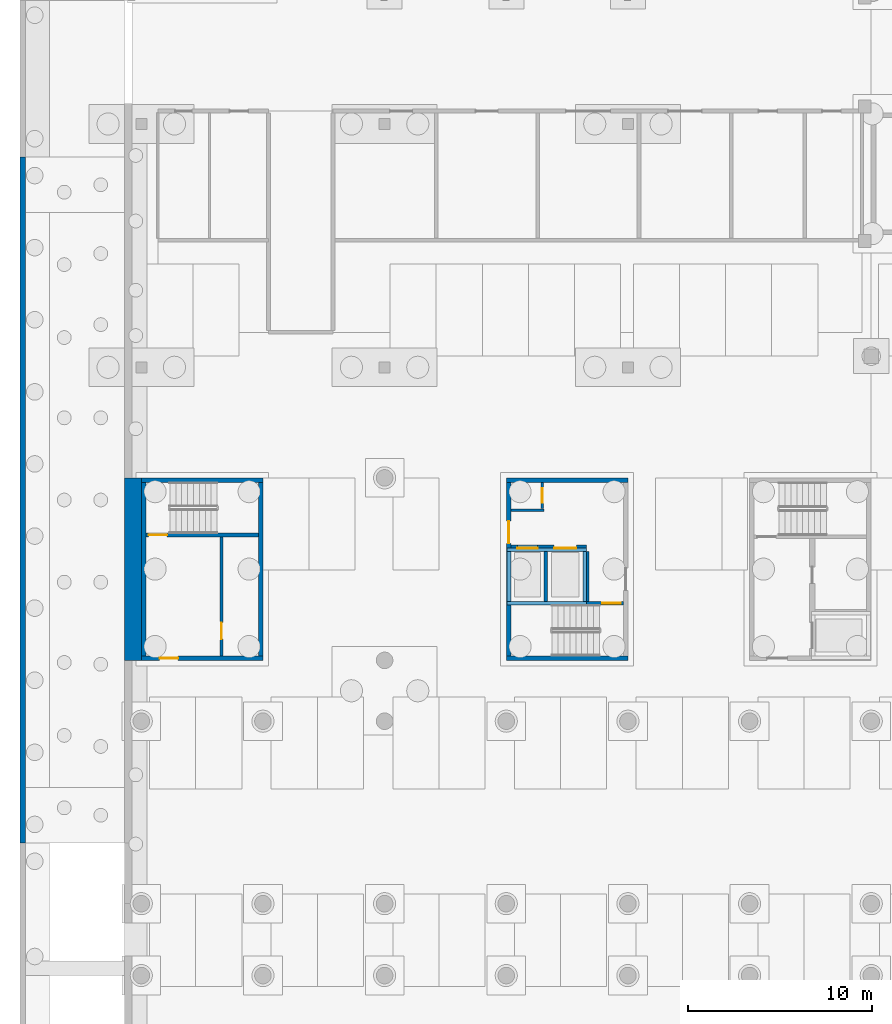
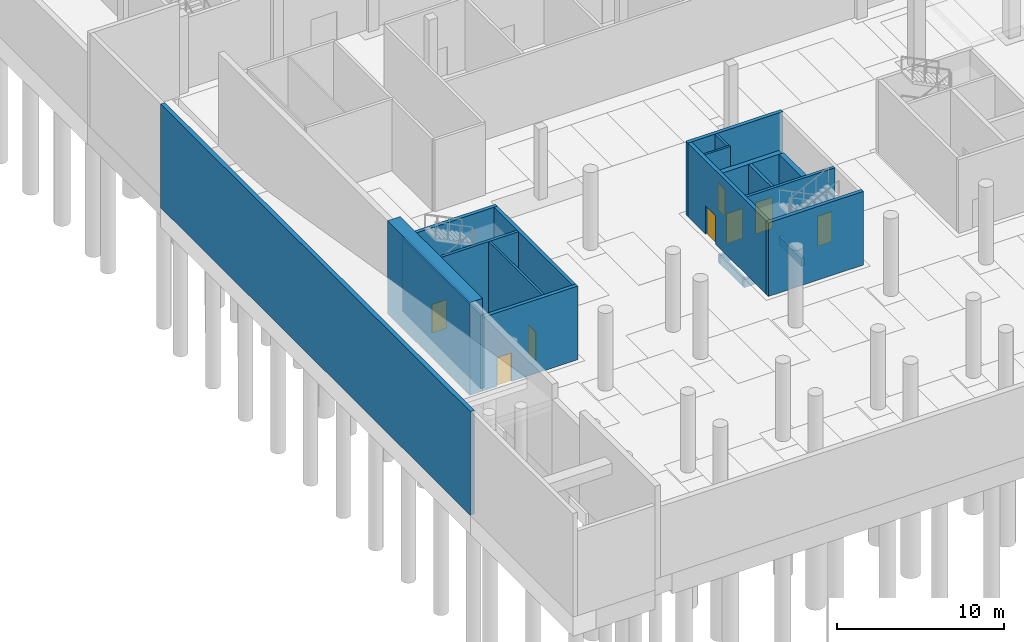
# One storey, part 10 of 38: 21 walls, 8 doors, 8 openings.
"""IFC4 building model written with IfcOpenShell, lengths in metres."""

from ifc_helpers import new_model, si_unit, direction, frame, frame_2d, origin, place, context, subcontext, project, spatial, rectangle, extrude, material, layer, layer_set, type_object, element, fill, save


model = new_model("IFC4")

# Units and contexts
model_context = context("Model", 3, precision=1e-05, world=origin(), true_north=direction((0.0, 1.0)))
body_context = subcontext(model_context, "Body", "Model", "MODEL_VIEW")
ifc_project = project(units=[si_unit("LENGTHUNIT", "METRE"), si_unit("AREAUNIT", "SQUARE_METRE"), si_unit("VOLUMEUNIT", "CUBIC_METRE"), si_unit("PLANEANGLEUNIT", "RADIAN"), si_unit("MASSUNIT", "GRAM", prefix="KILO")], contexts=[model_context])

# Site, building, storey
site_placement = place(None, origin())
site = spatial("IfcSite", under=ifc_project, at=site_placement, CompositionType="ELEMENT")
building_placement = place(site_placement, origin())
building = spatial("IfcBuilding", under=site, at=building_placement, Name="Lantern Court Research Institute", CompositionType="ELEMENT")
storey_placement = place(building_placement, frame((0.0, 0.0, -5.699951171875)))
storey = spatial("IfcBuildingStorey", under=building, at=storey_placement, Name="B1", CompositionType="ELEMENT", Elevation=-5.699951171875)

# Wall, opening, door
ifc_material_1 = material(Name="Concrete C40/50", Category="concrete")
ifc_layer_1 = layer(ifc_material_1, 0.25)
ifc_layer_set_1 = layer_set([ifc_layer_1], Name="Concrete C40/50")
wall_type_1 = type_object("IfcWallType", Name="RC core wall 250", PredefinedType="SHEAR", material=ifc_layer_set_1)
wall_1_placement = place(storey_placement, frame((0.0, 13.324951171875, 0.0), z_axis=(0.0, 0.0, 1.0), x_axis=(1.0, 0.0, 0.0)))
wall_1 = element("IfcWall", 1, at=wall_1_placement, inside=storey, type_object=wall_type_1, Name="South wall of core BC-W", PredefinedType="SHEAR", context=body_context, shape_type="SweptSolid", body=[
    extrude(rectangle(XDim=6.60009765625, YDim=0.25, at=frame_2d((3.300048828125, 0.0))), origin(), (0.0, 0.0, 1.0), 5.39990234375),
])
opening_1_placement = place(wall_1_placement, frame((1.0, 0.0, 0.0)))
opening_1 = element("IfcOpeningElement", 2, at=opening_1_placement, cuts=wall_1, Name="Opening D7002", PredefinedType="OPENING", context=body_context, shape_type="SweptSolid", body=[
    extrude(rectangle(XDim=1.0, YDim=2.10009765625, at=frame_2d((0.5, 1.050048828125))), frame((0.0, 0.135009765625, 0.0), z_axis=(0.0, -1.0, 0.0), x_axis=(1.0, 0.0, 0.0)), (0.0, 0.0, 1.0), 0.27001953125),
])
ifc_material_2 = material(Name="Steel fire door leaf with smoke seals", Category="steel")
door_type_1 = type_object("IfcDoorType", Name="Door 1000 x 2100 fire rated FD60S", OperationType="NOTDEFINED", PredefinedType="DOOR", material=ifc_material_2)
door_1_placement = place(opening_1_placement, origin())
door_1 = element("IfcDoor", 3, at=door_1_placement, inside=storey, type_object=door_type_1, Name="Lobby door", OperationType="SINGLE_SWING_RIGHT", OverallHeight=2.10009765625, OverallWidth=1.0, PredefinedType="DOOR", context=body_context, shape_type="SweptSolid", body=[
    extrude(rectangle(XDim=1.0, YDim=2.10009765625, at=frame_2d((0.5, 1.050048828125))), frame((0.0, 0.02490234375, 0.0), z_axis=(0.0, -1.0, 0.0), x_axis=(1.0, 0.0, 0.0)), (0.0, 0.0, 1.0), 0.050048828125),
])
fill(opening_1, door_1)

# Walls
wall_2_placement = place(storey_placement, frame((0.0, 22.97509765625, 0.0), z_axis=(0.0, 0.0, 1.0), x_axis=(1.0, 0.0, 0.0)))
element("IfcWall", 4, at=wall_2_placement, inside=storey, type_object=wall_type_1, Name="North wall of core BC-W", PredefinedType="SHEAR", context=body_context, shape_type="SweptSolid", body=[
    extrude(rectangle(XDim=6.60009765625, YDim=0.25, at=frame_2d((3.300048828125, 0.0))), origin(), (0.0, 0.0, 1.0), 5.39990234375),
])
for number, where, z_axis, x_axis, name in (
    (5, (0.125, 13.449951171875, 0.0), (0.0, 0.0, 1.0), (0.0, 1.0, 0.0), "West wall of core BC-W"),
    (6, (6.47509765625, 13.449951171875, 0.0), (0.0, 0.0, 1.0), (0.0, 1.0, 0.0), "East wall of core BC-W"),
):
    element("IfcWall", number, at=place(storey_placement, frame(where, z_axis=z_axis, x_axis=x_axis)), inside=storey, type_object=wall_type_1, Name=name, PredefinedType="SHEAR", context=body_context, shape_type="SweptSolid", body=[
        extrude(rectangle(XDim=9.400146484375, YDim=0.25, at=frame_2d((4.7001953125, 0.0))), origin(), (0.0, 0.0, 1.0), 5.39990234375),
    ])
for number, where, z_axis, x_axis, name in (
    (7, (19.800048828125, 13.324951171875, 0.0), (0.0, 0.0, 1.0), (1.0, 0.0, 0.0), "South wall of core BC-M"),
    (8, (19.800048828125, 22.97509765625, 0.0), (0.0, 0.0, 1.0), (1.0, 0.0, 0.0), "North wall of core BC-M"),
):
    element("IfcWall", number, at=place(storey_placement, frame(where, z_axis=z_axis, x_axis=x_axis)), inside=storey, type_object=wall_type_1, Name=name, PredefinedType="SHEAR", context=body_context, shape_type="SweptSolid", body=[
        extrude(rectangle(XDim=6.599853515625, YDim=0.25, at=frame_2d((3.2998046875, 0.0))), origin(), (0.0, 0.0, 1.0), 5.39990234375),
    ])

# Wall, opening, door
wall_3_placement = place(storey_placement, frame((19.925048828125, 13.449951171875, 0.0), z_axis=(0.0, 0.0, 1.0), x_axis=(0.0, 1.0, 0.0)))
wall_3 = element("IfcWall", 9, at=wall_3_placement, inside=storey, type_object=wall_type_1, Name="West wall of core BC-M", PredefinedType="SHEAR", context=body_context, shape_type="SweptSolid", body=[
    extrude(rectangle(XDim=9.400146484375, YDim=0.25, at=frame_2d((4.7001953125, 0.0))), origin(), (0.0, 0.0, 1.0), 5.39990234375),
])
opening_2_placement = place(wall_3_placement, frame((6.10009765625, 0.0, 0.0)))
opening_2 = element("IfcOpeningElement", 10, at=opening_2_placement, cuts=wall_3, Name="Opening D7024", PredefinedType="OPENING", context=body_context, shape_type="SweptSolid", body=[
    extrude(rectangle(XDim=1.199951171875, YDim=2.10009765625, at=frame_2d((0.60009765625, 1.050048828125))), frame((0.0, 0.135009765625, 0.0), z_axis=(0.0, -1.0, 0.0), x_axis=(1.0, 0.0, 0.0)), (0.0, 0.0, 1.0), 0.27001953125),
])
ifc_material_3 = material(Name="Steel fire door leaf with smoke seals", Category="steel")
door_type_2 = type_object("IfcDoorType", Name="Door 1200 x 2100 fire rated FD60S", OperationType="NOTDEFINED", PredefinedType="DOOR", material=ifc_material_3)
door_2_placement = place(opening_2_placement, origin())
door_2 = element("IfcDoor", 11, at=door_2_placement, inside=storey, type_object=door_type_2, Name="Lobby door", OperationType="SINGLE_SWING_LEFT", OverallHeight=2.10009765625, OverallWidth=1.199951171875, PredefinedType="DOOR", context=body_context, shape_type="SweptSolid", body=[
    extrude(rectangle(XDim=1.199951171875, YDim=2.10009765625, at=frame_2d((0.60009765625, 1.050048828125))), frame((0.0, 0.02490234375, 0.0), z_axis=(0.0, -1.0, 0.0), x_axis=(1.0, 0.0, 0.0)), (0.0, 0.0, 1.0), 0.050048828125),
])
fill(opening_2, door_2)

# Walls
ifc_material_4 = material(Name="Concrete C30/37", Category="concrete")
ifc_layer_2 = layer(ifc_material_4, 0.199951171875)
ifc_layer_set_2 = layer_set([ifc_layer_2], Name="Concrete C30/37")
wall_type_2 = type_object("IfcWallType", Name="RC lift pit wall 200", PredefinedType="SHEAR", material=ifc_layer_set_2)
for number, where, z_axis, x_axis, name in (
    (12, (19.85009765625, 16.300048828125, -1.199951171875), (0.0, 0.0, 1.0), (1.0, 0.0, 0.0), "Lift pit wall of core BC-M (south)"),
    (13, (19.85009765625, 19.199951171875, -1.199951171875), (0.0, 0.0, 1.0), (1.0, 0.0, 0.0), "Lift pit wall of core BC-M (north)"),
):
    element("IfcWall", number, at=place(storey_placement, frame(where, z_axis=z_axis, x_axis=x_axis)), inside=storey, type_object=wall_type_2, Name=name, PredefinedType="SHEAR", context=body_context, shape_type="SweptSolid", body=[
        extrude(rectangle(XDim=4.2998046875, YDim=0.199951171875, at=frame_2d((2.14990234375, 0.0))), origin(), (0.0, 0.0, 1.0), 0.599853515625),
    ])
for number, where, z_axis, x_axis, name in (
    (14, (19.949951171875, 16.39990234375, -1.199951171875), (0.0, 0.0, 1.0), (0.0, 1.0, 0.0), "Lift pit wall of core BC-M (west)"),
    (15, (24.050048828125, 16.39990234375, -1.199951171875), (0.0, 0.0, 1.0), (0.0, 1.0, 0.0), "Lift pit wall of core BC-M (east)"),
):
    element("IfcWall", number, at=place(storey_placement, frame(where, z_axis=z_axis, x_axis=x_axis)), inside=storey, type_object=wall_type_2, Name=name, PredefinedType="SHEAR", context=body_context, shape_type="SweptSolid", body=[
        extrude(rectangle(XDim=2.7001953125, YDim=0.199951171875, at=frame_2d((1.35009765625, 0.0))), origin(), (0.0, 0.0, 1.0), 0.599853515625),
    ])

# Wall, opening, door
ifc_material_5 = material(Name="Concrete C40/50", Category="concrete")
ifc_layer_3 = layer(ifc_material_5, 0.14990234375)
ifc_layer_set_3 = layer_set([ifc_layer_3], Name="Concrete C40/50")
wall_type_3 = type_object("IfcWallType", Name="RC shaft wall 150", PredefinedType="SHEAR", material=ifc_layer_set_3)
wall_4_placement = place(storey_placement, frame((4.35009765625, 13.449951171875, 0.0), z_axis=(0.0, 0.0, 1.0), x_axis=(0.0, 1.0, 0.0)))
wall_4 = element("IfcWall", 16, at=wall_4_placement, inside=storey, type_object=wall_type_3, Name="Riser wall of core BC-W", PredefinedType="SHEAR", context=body_context, shape_type="SweptSolid", body=[
    extrude(rectangle(XDim=6.449951171875, YDim=0.14990234375, at=frame_2d((3.22509765625, 0.0))), origin(), (0.0, 0.0, 1.0), 5.39990234375),
])
opening_3_placement = place(wall_4_placement, frame((0.89990234375, 0.0, 0.0)))
opening_3 = element("IfcOpeningElement", 17, at=opening_3_placement, cuts=wall_4, Name="Opening D7001", PredefinedType="OPENING", context=body_context, shape_type="SweptSolid", body=[
    extrude(rectangle(XDim=0.89990234375, YDim=2.10009765625, at=frame_2d((0.449951171875, 1.050048828125))), frame((0.0, 0.0849609375, 0.0), z_axis=(0.0, -1.0, 0.0), x_axis=(1.0, 0.0, 0.0)), (0.0, 0.0, 1.0), 0.169921875),
])
ifc_material_6 = material(Name="Steel fire door leaf", Category="steel")
door_type_3 = type_object("IfcDoorType", Name="Door 900 x 2100 fire rated FD60", OperationType="NOTDEFINED", PredefinedType="DOOR", material=ifc_material_6)
door_3_placement = place(opening_3_placement, origin())
door_3 = element("IfcDoor", 18, at=door_3_placement, inside=storey, type_object=door_type_3, Name="Riser door", OperationType="SINGLE_SWING_RIGHT", OverallHeight=2.10009765625, OverallWidth=0.89990234375, PredefinedType="DOOR", context=body_context, shape_type="SweptSolid", body=[
    extrude(rectangle(XDim=0.89990234375, YDim=2.10009765625, at=frame_2d((0.449951171875, 1.050048828125))), frame((0.0, 0.02490234375, 0.0), z_axis=(0.0, -1.0, 0.0), x_axis=(1.0, 0.0, 0.0)), (0.0, 0.0, 1.0), 0.050048828125),
])
fill(opening_3, door_3)

# Wall
wall_5_placement = place(storey_placement, frame((20.050048828125, 21.35009765625, 0.0), z_axis=(0.0, 0.0, 1.0), x_axis=(1.0, 0.0, 0.0)))
element("IfcWall", 19, at=wall_5_placement, inside=storey, type_object=wall_type_3, Name="Riser wall of core BC-M", PredefinedType="SHEAR", context=body_context, shape_type="SweptSolid", body=[
    extrude(rectangle(XDim=1.800048828125, YDim=0.14990234375, at=frame_2d((0.89990234375, 0.0))), origin(), (0.0, 0.0, 1.0), 5.39990234375),
])

# Wall, opening, door
wall_6_placement = place(storey_placement, frame((21.75, 21.449951171875, 0.0), z_axis=(0.0, 0.0, 1.0), x_axis=(0.0, 1.0, 0.0)))
wall_6 = element("IfcWall", 20, at=wall_6_placement, inside=storey, type_object=wall_type_3, Name="Riser wall of core BC-M", PredefinedType="SHEAR", context=body_context, shape_type="SweptSolid", body=[
    extrude(rectangle(XDim=1.400146484375, YDim=0.14990234375, at=frame_2d((0.7001953125, 0.0))), origin(), (0.0, 0.0, 1.0), 5.39990234375),
])
opening_4_placement = place(wall_6_placement, frame((0.300048828125, 0.0, 0.0)))
opening_4 = element("IfcOpeningElement", 21, at=opening_4_placement, cuts=wall_6, Name="Opening D7026", PredefinedType="OPENING", context=body_context, shape_type="SweptSolid", body=[
    extrude(rectangle(XDim=0.800048828125, YDim=2.0, at=frame_2d((0.39990234375, 1.0))), frame((0.0, 0.0849609375, 0.0), z_axis=(0.0, -1.0, 0.0), x_axis=(1.0, 0.0, 0.0)), (0.0, 0.0, 1.0), 0.169921875),
])
ifc_material_7 = material(Name="Steel fire door leaf", Category="steel")
door_type_4 = type_object("IfcDoorType", Name="Door 800 x 2000 fire rated FD60", OperationType="NOTDEFINED", PredefinedType="DOOR", material=ifc_material_7)
door_4_placement = place(opening_4_placement, origin())
door_4 = element("IfcDoor", 22, at=door_4_placement, inside=storey, type_object=door_type_4, Name="Riser door", OperationType="SINGLE_SWING_LEFT", OverallHeight=2.0, OverallWidth=0.800048828125, PredefinedType="DOOR", context=body_context, shape_type="SweptSolid", body=[
    extrude(rectangle(XDim=0.800048828125, YDim=2.0, at=frame_2d((0.39990234375, 1.0))), frame((0.0, 0.02490234375, 0.0), z_axis=(0.0, -1.0, 0.0), x_axis=(1.0, 0.0, 0.0)), (0.0, 0.0, 1.0), 0.050048828125),
])
fill(opening_4, door_4)

ifc_material_8 = material(Name="Concrete C40/50", Category="concrete")
ifc_layer_4 = layer(ifc_material_8, 0.199951171875)
ifc_layer_set_4 = layer_set([ifc_layer_4], Name="Concrete C40/50")
wall_type_4 = type_object("IfcWallType", Name="RC shaft wall 200", PredefinedType="SHEAR", material=ifc_layer_set_4)
wall_7_placement = place(storey_placement, frame((0.25, 20.0, 0.0), z_axis=(0.0, 0.0, 1.0), x_axis=(1.0, 0.0, 0.0)))
wall_7 = element("IfcWall", 23, at=wall_7_placement, inside=storey, type_object=wall_type_4, Name="Stair wall of core BC-W", PredefinedType="SHEAR", context=body_context, shape_type="SweptSolid", body=[
    extrude(rectangle(XDim=6.10009765625, YDim=0.199951171875, at=frame_2d((3.050048828125, 0.0))), origin(), (0.0, 0.0, 1.0), 5.39990234375),
])
opening_5_placement = place(wall_7_placement, frame((0.14990234375, 0.0, 0.0)))
opening_5 = element("IfcOpeningElement", 24, at=opening_5_placement, cuts=wall_7, Name="Opening D7003", PredefinedType="OPENING", context=body_context, shape_type="SweptSolid", body=[
    extrude(rectangle(XDim=1.0, YDim=2.10009765625, at=frame_2d((0.5, 1.050048828125))), frame((0.0, 0.10986328125, 0.0), z_axis=(0.0, -1.0, 0.0), x_axis=(1.0, 0.0, 0.0)), (0.0, 0.0, 1.0), 0.219970703125),
])
door_5_placement = place(opening_5_placement, origin())
door_5 = element("IfcDoor", 25, at=door_5_placement, inside=storey, type_object=door_type_1, Name="Stair door", OperationType="SINGLE_SWING_RIGHT", OverallHeight=2.10009765625, OverallWidth=1.0, PredefinedType="DOOR", context=body_context, shape_type="SweptSolid", body=[
    extrude(rectangle(XDim=1.0, YDim=2.10009765625, at=frame_2d((0.5, 1.050048828125))), frame((0.0, 0.02490234375, 0.0), z_axis=(0.0, -1.0, 0.0), x_axis=(1.0, 0.0, 0.0)), (0.0, 0.0, 1.0), 0.050048828125),
])
fill(opening_5, door_5)

wall_8_placement = place(storey_placement, frame((20.050048828125, 16.300048828125, 0.0), z_axis=(0.0, 0.0, 1.0), x_axis=(1.0, 0.0, 0.0)))
wall_8 = element("IfcWall", 26, at=wall_8_placement, inside=storey, type_object=wall_type_4, Name="Stair wall of core BC-M", PredefinedType="SHEAR", context=body_context, shape_type="SweptSolid", body=[
    extrude(rectangle(XDim=6.099853515625, YDim=0.199951171875, at=frame_2d((3.0498046875, 0.0))), origin(), (0.0, 0.0, 1.0), 5.39990234375),
])
opening_6_placement = place(wall_8_placement, frame((4.949951171875, 0.0, 0.0)))
opening_6 = element("IfcOpeningElement", 27, at=opening_6_placement, cuts=wall_8, Name="Opening D7025", PredefinedType="OPENING", context=body_context, shape_type="SweptSolid", body=[
    extrude(rectangle(XDim=1.0, YDim=2.199951171875, at=frame_2d((0.5, 1.10009765625))), frame((0.0, 0.10986328125, 0.0), z_axis=(0.0, -1.0, 0.0), x_axis=(1.0, 0.0, 0.0)), (0.0, 0.0, 1.0), 0.219970703125),
])
ifc_material_9 = material(Name="Steel fire door leaf with smoke seals", Category="steel")
door_type_5 = type_object("IfcDoorType", Name="Door 1000 x 2200 fire rated FD60S", OperationType="NOTDEFINED", PredefinedType="DOOR", material=ifc_material_9)
door_6_placement = place(opening_6_placement, origin())
door_6 = element("IfcDoor", 28, at=door_6_placement, inside=storey, type_object=door_type_5, Name="Stair door", OperationType="SINGLE_SWING_RIGHT", OverallHeight=2.199951171875, OverallWidth=1.0, PredefinedType="DOOR", context=body_context, shape_type="SweptSolid", body=[
    extrude(rectangle(XDim=1.0, YDim=2.199951171875, at=frame_2d((0.5, 1.10009765625))), frame((0.0, 0.02490234375, 0.0), z_axis=(0.0, -1.0, 0.0), x_axis=(1.0, 0.0, 0.0)), (0.0, 0.0, 1.0), 0.050048828125),
])
fill(opening_6, door_6)

# Wall
wall_9_placement = place(storey_placement, frame((21.949951171875, 16.39990234375, 0.0), z_axis=(0.0, 0.0, 1.0), x_axis=(0.0, 1.0, 0.0)))
element("IfcWall", 29, at=wall_9_placement, inside=storey, type_object=wall_type_4, Name="Lift shaft wall of core BC-M", PredefinedType="SHEAR", context=body_context, shape_type="SweptSolid", body=[
    extrude(rectangle(XDim=2.7001953125, YDim=0.199951171875, at=frame_2d((1.35009765625, 0.0))), origin(), (0.0, 0.0, 1.0), 5.39990234375),
])

# Wall, openings, doors
ifc_material_10 = material(Name="Concrete C40/50", Category="concrete")
ifc_layer_5 = layer(ifc_material_10, 0.35009765625)
ifc_layer_set_5 = layer_set([ifc_layer_5], Name="Concrete C40/50")
wall_type_5 = type_object("IfcWallType", Name="RC shaft wall 350", PredefinedType="SHEAR", material=ifc_layer_set_5)
wall_10_placement = place(storey_placement, frame((20.050048828125, 19.27490234375, 0.0), z_axis=(0.0, 0.0, 1.0), x_axis=(1.0, 0.0, 0.0)))
wall_10 = element("IfcWall", 30, at=wall_10_placement, inside=storey, type_object=wall_type_5, Name="Lift shaft wall of core BC-M", PredefinedType="SHEAR", context=body_context, shape_type="SweptSolid", body=[
    extrude(rectangle(XDim=4.099853515625, YDim=0.35009765625, at=frame_2d((2.0498046875, 0.0))), origin(), (0.0, 0.0, 1.0), 5.39990234375),
])
opening_7_placement = place(wall_10_placement, frame((0.35009765625, 0.0, 0.0)))
opening_7 = element("IfcOpeningElement", 31, at=opening_7_placement, cuts=wall_10, Name="Opening D7027", PredefinedType="OPENING", context=body_context, shape_type="SweptSolid", body=[
    extrude(rectangle(XDim=1.10009765625, YDim=2.199951171875, at=frame_2d((0.550048828125, 1.10009765625))), frame((0.0, 0.18505859375, 0.0), z_axis=(0.0, -1.0, 0.0), x_axis=(1.0, 0.0, 0.0)), (0.0, 0.0, 1.0), 0.3701171875),
])
opening_8_placement = place(wall_10_placement, frame((2.35009765625, 0.0, 0.0)))
opening_8 = element("IfcOpeningElement", 32, at=opening_8_placement, cuts=wall_10, Name="Opening D7028", PredefinedType="OPENING", context=body_context, shape_type="SweptSolid", body=[
    extrude(rectangle(XDim=1.199951171875, YDim=2.300048828125, at=frame_2d((0.60009765625, 1.14990234375))), frame((0.0, 0.18505859375, 0.0), z_axis=(0.0, -1.0, 0.0), x_axis=(1.0, 0.0, 0.0)), (0.0, 0.0, 1.0), 0.3701171875),
])
ifc_material_11 = material(Name="Stainless steel landing door panels", Category="steel")
door_type_6 = type_object("IfcDoorType", Name="Lift landing door 1100 x 2200 sliding FD60", OperationType="DOUBLE_DOOR_SLIDING", PredefinedType="NOTDEFINED", material=ifc_material_11)
door_7_placement = place(opening_7_placement, origin())
door_7 = element("IfcDoor", 33, at=door_7_placement, inside=storey, type_object=door_type_6, Name="Landing door", OperationType="DOUBLE_DOOR_SLIDING", OverallHeight=2.199951171875, OverallWidth=1.10009765625, PredefinedType="NOTDEFINED", context=body_context, shape_type="SweptSolid", body=[
    extrude(rectangle(XDim=1.10009765625, YDim=2.199951171875, at=frame_2d((0.550048828125, 1.10009765625))), frame((0.0, 0.02490234375, 0.0), z_axis=(0.0, -1.0, 0.0), x_axis=(1.0, 0.0, 0.0)), (0.0, 0.0, 1.0), 0.050048828125),
])
fill(opening_7, door_7)
ifc_material_12 = material(Name="Stainless steel landing door panels", Category="steel")
door_type_7 = type_object("IfcDoorType", Name="Lift landing door 1200 x 2300 sliding FD60", OperationType="DOUBLE_DOOR_SLIDING", PredefinedType="NOTDEFINED", material=ifc_material_12)
door_8_placement = place(opening_8_placement, origin())
door_8 = element("IfcDoor", 34, at=door_8_placement, inside=storey, type_object=door_type_7, Name="Landing door", OperationType="DOUBLE_DOOR_SLIDING", OverallHeight=2.300048828125, OverallWidth=1.199951171875, PredefinedType="NOTDEFINED", context=body_context, shape_type="SweptSolid", body=[
    extrude(rectangle(XDim=1.199951171875, YDim=2.300048828125, at=frame_2d((0.60009765625, 1.14990234375))), frame((0.0, 0.02490234375, 0.0), z_axis=(0.0, -1.0, 0.0), x_axis=(1.0, 0.0, 0.0)), (0.0, 0.0, 1.0), 0.050048828125),
])
fill(opening_8, door_8)

# Walls
wall_11_placement = place(storey_placement, frame((24.125, 16.39990234375, 0.0), z_axis=(0.0, 0.0, 1.0), x_axis=(0.0, 1.0, 0.0)))
element("IfcWall", 35, at=wall_11_placement, inside=storey, type_object=wall_type_5, Name="Lift shaft wall of core BC-M", PredefinedType="SHEAR", context=body_context, shape_type="SweptSolid", body=[
    extrude(rectangle(XDim=2.7001953125, YDim=0.35009765625, at=frame_2d((1.35009765625, 0.0))), origin(), (0.0, 0.0, 1.0), 5.39990234375),
])
ifc_material_13 = material(Name="Concrete C30/37", Category="concrete")
ifc_layer_6 = layer(ifc_material_13, 0.300048828125)
ifc_layer_set_6 = layer_set([ifc_layer_6], Name="Concrete C30/37")
wall_type_6 = type_object("IfcWallType", Name="Ramp wall 300", PredefinedType="SOLIDWALL", material=ifc_layer_set_6)
wall_12_placement = place(storey_placement, frame((-6.429931640625, 3.300048828125, -0.800048828125), z_axis=(0.0, 0.0, 1.0), x_axis=(0.0, 1.0, 0.0)))
element("IfcWall", 36, at=wall_12_placement, inside=storey, type_object=wall_type_6, Name="RW13", PredefinedType="SOLIDWALL", context=body_context, shape_type="SweptSolid", body=[
    extrude(rectangle(XDim=37.199951171875, YDim=0.300048828125, at=frame_2d((18.60009765625, 0.0))), origin(), (0.0, 0.0, 1.0), 7.60009765625),
])
ifc_material_14 = material(Name="Concrete C30/37", Category="concrete")
ifc_layer_7 = layer(ifc_material_14, 0.89990234375)
ifc_layer_set_7 = layer_set([ifc_layer_7], Name="Concrete C30/37")
wall_type_7 = type_object("IfcWallType", Name="Retaining wall 900", PredefinedType="SOLIDWALL", material=ifc_layer_set_7)
wall_13_placement = place(storey_placement, frame((-0.449951171875, 13.199951171875, 0.0), z_axis=(0.0, 0.0, 1.0), x_axis=(0.0, 1.0, 0.0)))
element("IfcWall", 37, at=wall_13_placement, inside=storey, type_object=wall_type_7, Name="RW10", PredefinedType="SOLIDWALL", context=body_context, shape_type="SweptSolid", body=[
    extrude(rectangle(XDim=9.900146484375, YDim=0.89990234375, at=frame_2d((4.9501953125, 0.0))), origin(), (0.0, 0.0, 1.0), 6.800048828125),
])

save(model, "model.ifc")
